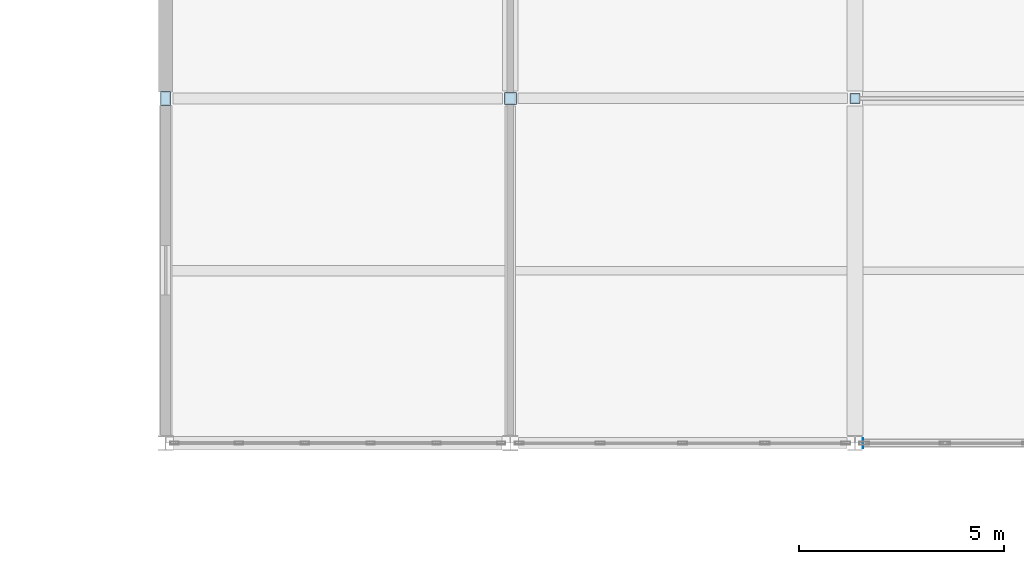
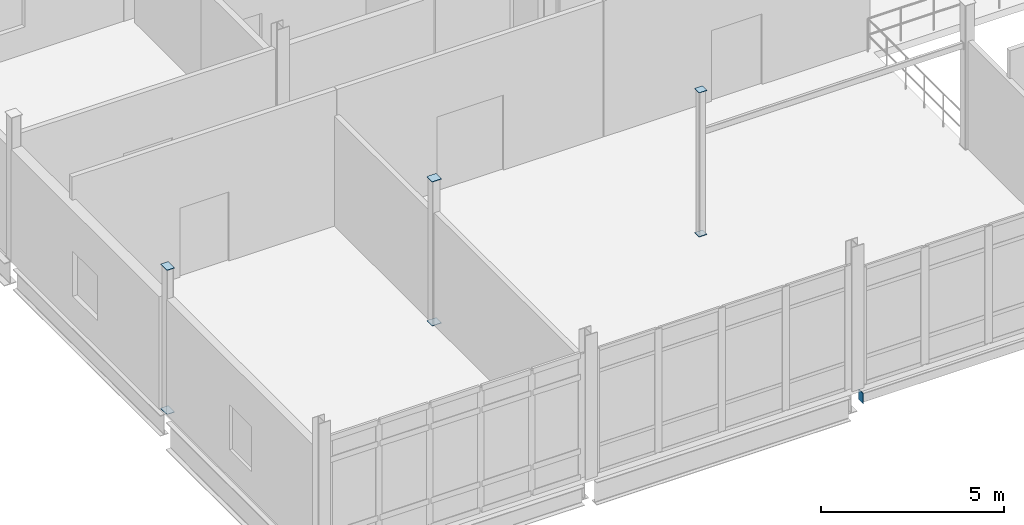
# One storey, part 33 of 72: 7 plates.
"""IFC4 building model written with IfcOpenShell, lengths in metres."""

from ifc_helpers import new_model, si_unit, direction, frame, origin, origin_2d, place, context, subcontext, project, spatial, rectangle, extrude, material, layer, layer_set, type_object, element, save


model = new_model("IFC4")

# Units and contexts
model_context = context("Model", 3, precision=1e-05, world=origin(), true_north=direction((0.0, 1.0)))
body_context = subcontext(model_context, "Body", "Model", "MODEL_VIEW")
ifc_project = project(units=[si_unit("LENGTHUNIT", "METRE"), si_unit("AREAUNIT", "SQUARE_METRE"), si_unit("VOLUMEUNIT", "CUBIC_METRE"), si_unit("PLANEANGLEUNIT", "RADIAN"), si_unit("MASSUNIT", "GRAM", prefix="KILO")], contexts=[model_context])

# Site, building, storey
site_placement = place(None, origin())
site = spatial("IfcSite", under=ifc_project, at=site_placement, CompositionType="ELEMENT")
building_placement = place(site_placement, origin())
building = spatial("IfcBuilding", under=site, at=building_placement, Name="Calvrana Isthmian Art Gallery", CompositionType="ELEMENT")
storey_placement = place(building_placement, frame((0.0, 0.0, 15.0)))
storey = spatial("IfcBuildingStorey", under=building, at=storey_placement, Name="L03", CompositionType="ELEMENT", Elevation=15.0)

# Plates
ifc_material = material(Name="Steel ASTM A572 Gr 50", Category="steel")
ifc_layer = layer(ifc_material, 0.01611328125, Name="Steel ASTM A572 Gr 50")
ifc_layer_set = layer_set([ifc_layer], Name="Steel ASTM A572 Gr 50")
plate_type = type_object("IfcPlateType", Name="PL-CAP-16", PredefinedType="SHEET", material=ifc_layer_set)
for number, where, z_axis, x_axis, name in (
    (1, (21.60009765625, 30.0, -0.008056640625), (0.0, 0.0, 1.0), (1.0, 0.0, 0.0), "Hollow section end cap plate 027"),
    (2, (21.60009765625, 30.0, 4.7919921875), (0.0, 0.0, 1.0), (1.0, 0.0, 0.0), "Hollow section end cap plate 028"),
):
    element("IfcPlate", number, at=place(storey_placement, frame(where, z_axis=z_axis, x_axis=x_axis)), inside=storey, type_object=plate_type, Name=name, PredefinedType="SHEET", context=body_context, shape_type="SweptSolid", body=[
        extrude(rectangle(XDim=0.2431640625, YDim=0.3447265625, at=origin_2d()), origin(), (0.0, 0.0, 1.0), 0.01611328125),
    ])
for number, where, z_axis, x_axis, name in (
    (3, (30.0, 30.0, -0.008056640625), (0.0, 0.0, 1.0), (1.0, 0.0, 0.0), "Hollow section end cap plate 047"),
    (4, (30.0, 30.0, 4.7919921875), (0.0, 0.0, 1.0), (1.0, 0.0, 0.0), "Hollow section end cap plate 048"),
):
    element("IfcPlate", number, at=place(storey_placement, frame(where, z_axis=z_axis, x_axis=x_axis)), inside=storey, type_object=plate_type, Name=name, PredefinedType="SHEET", context=body_context, shape_type="SweptSolid", body=[
        extrude(rectangle(XDim=0.2939453125, YDim=0.2939453125, at=origin_2d()), origin(), (0.0, 0.0, 1.0), 0.01611328125),
    ])
for number, where, z_axis, x_axis, name in (
    (5, (38.39990234375, 30.0, -0.008056640625), (0.0, 0.0, 1.0), (1.0, 0.0, 0.0), "Hollow section end cap plate 067"),
    (6, (38.39990234375, 30.0, 4.7919921875), (0.0, 0.0, 1.0), (1.0, 0.0, 0.0), "Hollow section end cap plate 068"),
):
    element("IfcPlate", number, at=place(storey_placement, frame(where, z_axis=z_axis, x_axis=x_axis)), inside=storey, type_object=plate_type, Name=name, PredefinedType="SHEET", context=body_context, shape_type="SweptSolid", body=[
        extrude(rectangle(XDim=0.2431640625, YDim=0.2431640625, at=origin_2d()), origin(), (0.0, 0.0, 1.0), 0.01611328125),
    ])
plate_placement = place(storey_placement, frame((38.596923828125, 21.60009765625, -0.56982421875), z_axis=(0.0, 0.0, 1.0), x_axis=(1.0, 0.0, 0.0)))
element("IfcPlate", 7, at=plate_placement, inside=storey, type_object=plate_type, Name="Hollow section end cap plate 473", PredefinedType="SHEET", context=body_context, shape_type="SweptSolid", body=[
    extrude(rectangle(XDim=0.01611328125, YDim=0.2431640625, at=origin_2d()), origin(), (0.0, 0.0, 1.0), 0.3447265625),
])

save(model, "model.ifc")
